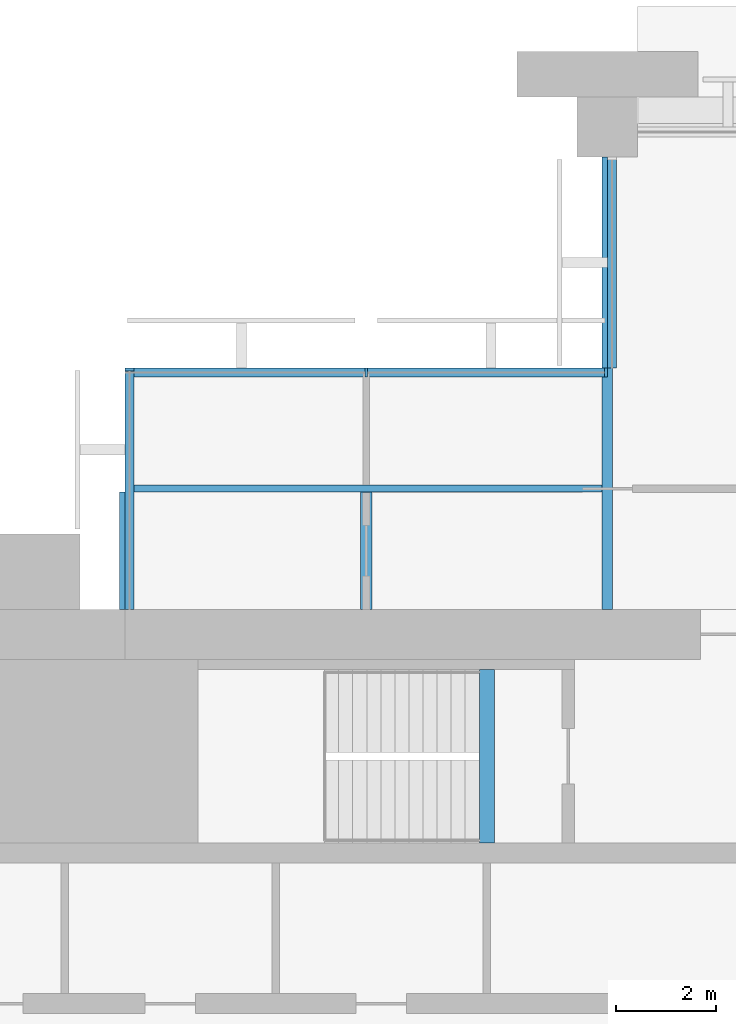
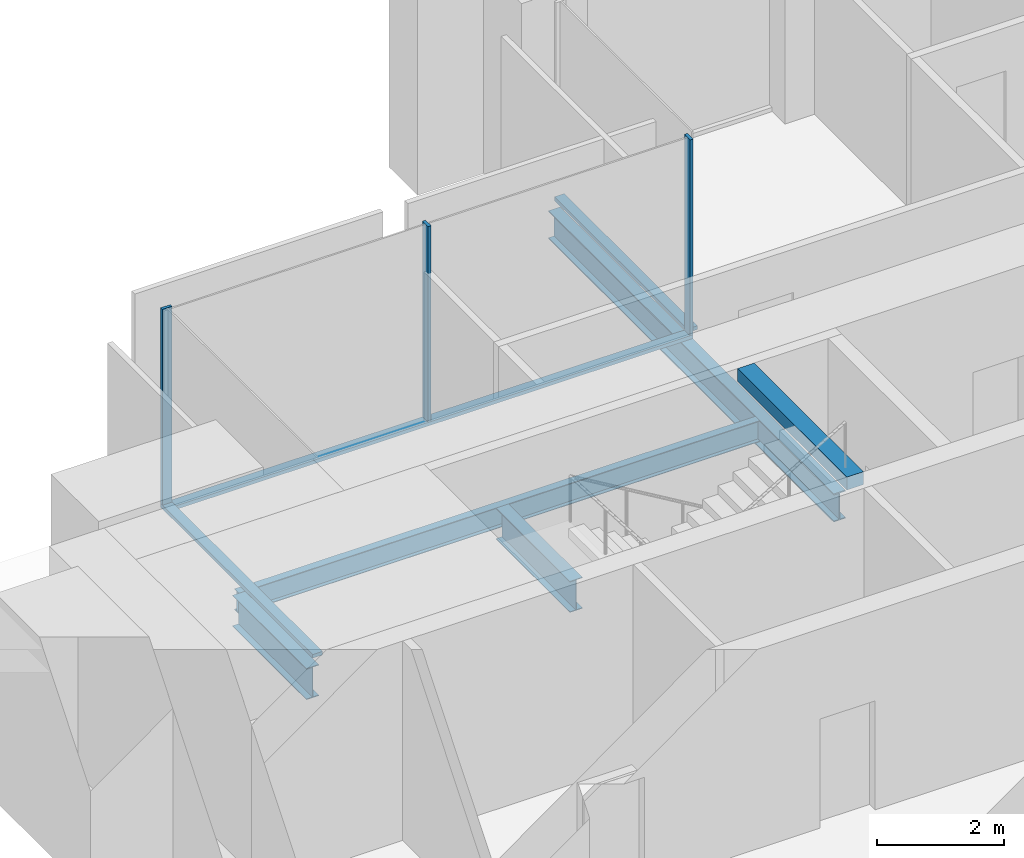
# One storey, part 5 of 15: 6 members, 5 beams, 3 elements without a shape of their own.
"""IFC4 building model written with IfcOpenShell, lengths in metres."""

import ifcopenshell
import ifcopenshell.guid

model = None  # the IFC model being written
_history = None  # IfcOwnerHistory: only IFC2X3 demands one
_inside = {}  # id of a spatial element -> (the spatial element, [elements in it])
_under = {}  # id of a project, library or spatial element -> (it, [spatial elements below it])
_declared = {}  # id of a project -> (the project, [libraries it declares])
_typed = {}  # id of a type object -> (the type object, [elements of that type])
_made_of = {}  # id of a material, layer set ... -> (it, [elements and type objects made of it])


def new_model(schema):
    """Start an empty IFC model of exactly this schema.

    Asked for "IFC4X3", IfcOpenShell would pick the latest addendum, in which some entities
    have other attributes; the version numbers below select the first issue.
    IFC2X3 requires an IfcOwnerHistory on every rooted entity: one is made here for all.
    """
    global model, _history
    if schema == "IFC4X3":
        model = ifcopenshell.file(schema_version=(4, 3, 0, 0))
    else:
        model = ifcopenshell.file(schema=schema)
    _inside.clear()
    _under.clear()
    _declared.clear()
    _typed.clear()
    _made_of.clear()
    _history = None
    if model.schema == "IFC2X3":
        org = make("IfcOrganization", Name="unknown")
        user = make(
            "IfcPersonAndOrganization",
            ThePerson=make("IfcPerson", FamilyName="unknown"),
            TheOrganization=org,
        )
        app = make(
            "IfcApplication",
            ApplicationDeveloper=org,
            Version="unknown",
            ApplicationFullName="unknown",
            ApplicationIdentifier="unknown",
        )
        _history = make(
            "IfcOwnerHistory",
            OwningUser=user,
            OwningApplication=app,
            ChangeAction="ADDED",
            CreationDate=0,
        )
    return model


def make(cls, **values):
    """One entity of the class cls with the attributes given. An attribute that is None is left unset."""
    return model.create_entity(
        cls, **{name: value for name, value in values.items() if value is not None}
    )


def rooted(cls, **values):
    """An entity with a GlobalId (a new one), such as an element, a storey or a relation."""
    return make(cls, GlobalId=ifcopenshell.guid.new(), OwnerHistory=_history, **values)


def si_unit(unit_type, name, prefix=None):
    """IfcSIUnit, for example si_unit("LENGTHUNIT", "METRE", prefix="MILLI")."""
    return make("IfcSIUnit", UnitType=unit_type, Prefix=prefix, Name=name)


def assignment(units):
    """IfcUnitAssignment: the units of a project."""
    return None if units is None else make("IfcUnitAssignment", Units=units)


def point(xyz):
    """IfcCartesianPoint."""
    return None if xyz is None else make("IfcCartesianPoint", Coordinates=xyz)


def direction(xyz):
    """IfcDirection."""
    return None if xyz is None else make("IfcDirection", DirectionRatios=xyz)


def frame(location, z_axis=None, x_axis=None):
    """IfcAxis2Placement3D, a coordinate frame: its origin and axes. An axis left out is left unset."""
    return make(
        "IfcAxis2Placement3D",
        Location=point(location),
        Axis=direction(z_axis),
        RefDirection=direction(x_axis),
    )


def frame_2d(location, x_axis=None):
    """IfcAxis2Placement2D, a coordinate frame in the plane: its origin and x axis."""
    return make(
        "IfcAxis2Placement2D", Location=point(location), RefDirection=direction(x_axis)
    )


def origin():
    """The frame at (0, 0, 0) with its axes left unset."""
    return frame((0.0, 0.0, 0.0))


def origin_2d():
    """The frame at (0, 0) in the plane with its x axis left unset."""
    return frame_2d((0.0, 0.0))


def place(relative_to, where):
    """IfcLocalPlacement: puts the frame where relative to a parent placement (None: the world)."""
    return make(
        "IfcLocalPlacement", PlacementRelTo=relative_to, RelativePlacement=where
    )


def context(
    kind, dimensions, precision=None, world=None, true_north=None, identifier=None
):
    """IfcGeometricRepresentationContext, for example the 3D "Model" context."""
    return make(
        "IfcGeometricRepresentationContext",
        ContextIdentifier=identifier,
        ContextType=kind,
        CoordinateSpaceDimension=dimensions,
        Precision=precision,
        WorldCoordinateSystem=world,
        TrueNorth=true_north,
    )


def subcontext(parent, identifier, kind, view, scale=None):
    """IfcGeometricRepresentationSubContext, for example "Body" below "Model"."""
    return make(
        "IfcGeometricRepresentationSubContext",
        ContextIdentifier=identifier,
        ContextType=kind,
        ParentContext=parent,
        TargetScale=scale,
        TargetView=view,
    )


def project(units=None, contexts=None):
    """IfcProject with its units and contexts."""
    return rooted(
        "IfcProject",
        Name="project",
        RepresentationContexts=contexts,
        UnitsInContext=assignment(units),
    )


def spatial(cls, under=None, at=None, **own):
    """A site, building, storey or space (cls), placed at a placement, below another one or the project."""
    s = rooted(cls, ObjectPlacement=at, **own)
    if under is not None:
        _under.setdefault(under.id(), (under, []))[1].append(s)
    return s


def profile(cls, at=None, kind="AREA", **sizes):
    """A parametric profile (cls). Its sizes go by their IFC names, for example OverallWidth=200.0."""
    return make(cls, ProfileType=kind, Position=at, **sizes)


def rectangle(**sizes):
    """IfcRectangleProfileDef."""
    return profile("IfcRectangleProfileDef", **sizes)


def i_section(**sizes):
    """IfcIShapeProfileDef."""
    return profile("IfcIShapeProfileDef", **sizes)


def extrude(swept, where, along, depth):
    """IfcExtrudedAreaSolid: the profile swept, set in the frame where, extruded along a direction by depth."""
    return make(
        "IfcExtrudedAreaSolid",
        SweptArea=swept,
        Position=where,
        ExtrudedDirection=direction(along),
        Depth=depth,
    )


def shape(context_of_items, identifier, shape_type, items):
    """IfcShapeRepresentation: the items that make up one representation, for example the "Body"."""
    return make(
        "IfcShapeRepresentation",
        ContextOfItems=context_of_items,
        RepresentationIdentifier=identifier,
        RepresentationType=shape_type,
        Items=items,
    )


def material(Name=None, Category=None):
    """IfcMaterial."""
    return make("IfcMaterial", Name=Name, Category=Category)


def material_profile(
    of_material, cross_section, Name=None, Category=None, Priority=None
):
    """IfcMaterialProfile: a cross section and its material."""
    return make(
        "IfcMaterialProfile",
        Name=Name,
        Material=of_material,
        Profile=cross_section,
        Priority=Priority,
        Category=Category,
    )


def profile_set(profiles, Name=None, composite=None):
    """IfcMaterialProfileSet."""
    return make(
        "IfcMaterialProfileSet",
        Name=Name,
        MaterialProfiles=profiles,
        CompositeProfile=composite,
    )


def made_of(thing, what):
    """Note that an element or type object is made of a material, layer set ...; save() writes the relation."""
    if what is not None:
        _made_of.setdefault(what.id(), (what, []))[1].append(thing)
    return thing


def type_object(cls, material=None, **own):
    """A type object (cls), such as IfcWallType, which elements share."""
    return made_of(rooted(cls, **own), material)


def element(
    cls,
    number,
    at=None,
    inside=None,
    cuts=None,
    type_object=None,
    material=None,
    context=None,
    identifier="Body",
    shape_type=None,
    held_by="IfcProductDefinitionShape",
    body=None,
    shapes=None,
    **own,
):
    """One element of the class cls, such as IfcWall. Its Tag is "e" and its number.

    at: its placement. inside: the storey or other place that contains it. cuts: it is an
    opening in that element (IfcRelVoidsElement). A single representation is given by context,
    identifier, shape_type and body (its items); several are given by shapes. held_by: the class
    of the entity that holds the representations. save() writes the other relations.
    """
    e = rooted(cls, Tag="e%d" % number, ObjectPlacement=at, **own)
    if body is not None:
        shapes = [shape(context, identifier, shape_type, body)]
    if shapes is not None:
        e.Representation = make(held_by, Representations=shapes)
    if inside is not None:
        _inside.setdefault(inside.id(), (inside, []))[1].append(e)
    if cuts is not None:
        rooted(
            "IfcRelVoidsElement", RelatingBuildingElement=cuts, RelatedOpeningElement=e
        )
    if type_object is not None:
        _typed.setdefault(type_object.id(), (type_object, []))[1].append(e)
    return made_of(e, material)


def aggregate(whole, parts):
    """IfcRelAggregates: a whole, such as a stair, and the parts it consists of."""
    return rooted("IfcRelAggregates", RelatingObject=whole, RelatedObjects=parts)


def save(model, path):
    """Write the relations noted so far, then the file.

    IfcRelAggregates (storeys below a building ...), IfcRelContainedInSpatialStructure (elements
    in a storey), IfcRelDefinesByType, IfcRelAssociatesMaterial and IfcRelDeclares: one each for
    every whole, place, type object, material and project.
    """
    for whole, parts in _under.values():
        aggregate(whole, parts)
    for where, things in _inside.values():
        rooted(
            "IfcRelContainedInSpatialStructure",
            RelatedElements=things,
            RelatingStructure=where,
        )
    for kind, things in _typed.values():
        rooted("IfcRelDefinesByType", RelatedObjects=things, RelatingType=kind)
    for what, things in _made_of.values():
        rooted("IfcRelAssociatesMaterial", RelatedObjects=things, RelatingMaterial=what)
    for by, libraries in _declared.values():
        rooted("IfcRelDeclares", RelatingContext=by, RelatedDefinitions=libraries)
    model.write(path)


model = new_model("IFC4")

# Units and contexts
model_context = context("Model", 3, precision=1e-05, world=origin(), true_north=direction((0.0, 1.0)))
body_context = subcontext(model_context, "Body", "Model", "MODEL_VIEW")
ifc_project = project(units=[si_unit("LENGTHUNIT", "METRE"), si_unit("AREAUNIT", "SQUARE_METRE"), si_unit("VOLUMEUNIT", "CUBIC_METRE"), si_unit("PLANEANGLEUNIT", "RADIAN"), si_unit("MASSUNIT", "GRAM", prefix="KILO")], contexts=[model_context])

# Site, building, storey
site_placement = place(None, origin())
site = spatial("IfcSite", under=ifc_project, at=site_placement, CompositionType="ELEMENT")
building_placement = place(site_placement, origin())
building = spatial("IfcBuilding", under=site, at=building_placement, Name="Baori Bourse Tower", CompositionType="ELEMENT")
storey_placement = place(building_placement, frame((0.0, 0.0, 164.10009765625)))
storey = spatial("IfcBuildingStorey", under=building, at=storey_placement, Name="L36", CompositionType="ELEMENT", Elevation=164.10009765625)

# Curtain wall, members
ifc_material_1 = material(Name="Pale anodised aluminium", Category="aluminium")
curtain_wall_type = type_object("IfcCurtainWallType", Name="CW2 Curtain wall", PredefinedType="NOTDEFINED", material=ifc_material_1)
curtain_wall_1_placement = place(storey_placement, origin())
curtain_wall_1 = element("IfcCurtainWall", 1, at=curtain_wall_1_placement, inside=storey, type_object=curtain_wall_type, Name="Curtain wall CW2 L36 8", PredefinedType="NOTDEFINED")
ifc_material_2 = material(Name="Pale anodised aluminium", Category="aluminium")
ifc_material_profile_1 = material_profile(ifc_material_2, rectangle(XDim=0.179931640625, YDim=0.054931640625, at=origin_2d()), Name="Mullion 55x180")
ifc_profile_set_1 = profile_set([ifc_material_profile_1], Name="Pale anodised aluminium")
member_type_1 = type_object("IfcMemberType", Name="CW2 Curtain wall mullion", PredefinedType="MULLION", material=ifc_profile_set_1)
member_1_placement = place(storey_placement, frame((14.37255859375, 43.110107421875, 0.06982421875), z_axis=(0.0, 0.0, 1.0), x_axis=(0.0, -1.0, 0.0)))
member_1 = element("IfcMember", 2, at=member_1_placement, type_object=member_type_1, Name="Curtain wall CW2 mullion", PredefinedType="MULLION", context=body_context, shape_type="SweptSolid", body=[
    extrude(rectangle(XDim=0.179931640625, YDim=0.054931640625, at=origin_2d()), origin(), (0.0, 0.0, 1.0), 3.77001953125),
])
member_2_placement = place(storey_placement, frame((9.60009765625, 43.110107421875, 0.06982421875), z_axis=(0.0, 0.0, 1.0), x_axis=(0.0, -1.0, 0.0)))
member_2 = element("IfcMember", 3, at=member_2_placement, type_object=member_type_1, Name="Curtain wall CW2 mullion", PredefinedType="MULLION", context=body_context, shape_type="SweptSolid", body=[
    extrude(rectangle(XDim=0.179931640625, YDim=0.054931640625, at=origin_2d()), origin(), (0.0, 0.0, 1.0), 3.77001953125),
])

# Curtain wall, member
curtain_wall_2_placement = place(storey_placement, origin())
curtain_wall_2 = element("IfcCurtainWall", 4, at=curtain_wall_2_placement, inside=storey, type_object=curtain_wall_type, Name="Curtain wall CW2 L36 9", PredefinedType="NOTDEFINED")
member_3_placement = place(storey_placement, frame((4.889892578125, 43.172607421875, 0.06982421875), z_axis=(0.0, 0.0, 1.0), x_axis=(1.0, 0.0, 0.0)))
member_3 = element("IfcMember", 5, at=member_3_placement, type_object=member_type_1, Name="Curtain wall CW2 mullion", PredefinedType="MULLION", context=body_context, shape_type="SweptSolid", body=[
    extrude(rectangle(XDim=0.179931640625, YDim=0.054931640625, at=origin_2d()), origin(), (0.0, 0.0, 1.0), 3.77001953125),
])

curtain_wall_3_placement = place(storey_placement, origin())
curtain_wall_3 = element("IfcCurtainWall", 6, at=curtain_wall_3_placement, inside=storey, type_object=curtain_wall_type, Name="Curtain wall CW2 L36 7", PredefinedType="NOTDEFINED")
ifc_material_3 = material(Name="Pale anodised aluminium", Category="aluminium")
ifc_material_profile_2 = material_profile(ifc_material_3, rectangle(XDim=0.179931640625, YDim=0.070068359375, at=origin_2d()), Name="Transom 70x180")
ifc_profile_set_2 = profile_set([ifc_material_profile_2], Name="Pale anodised aluminium")
member_type_2 = type_object("IfcMemberType", Name="CW2 Curtain wall transom", PredefinedType="USERDEFINED", material=ifc_profile_set_2)
member_4_placement = place(storey_placement, frame((14.489990234375, 47.39990234375, 0.034912109375), z_axis=(0.0, -1.0, 0.0), x_axis=(1.0, 0.0, 0.0)))
member_4 = element("IfcMember", 7, at=member_4_placement, type_object=member_type_2, Name="Curtain wall CW2 sill rail", ObjectType="TRANSOM", PredefinedType="USERDEFINED", context=body_context, shape_type="SweptSolid", body=[
    extrude(rectangle(XDim=0.179931640625, YDim=0.070068359375, at=origin_2d()), origin(), (0.0, 0.0, 1.0), 4.199951171875),
])
aggregate(curtain_wall_3, [member_4])

# Member
member_5_placement = place(storey_placement, frame((14.39990234375, 43.110107421875, 0.034912109375), z_axis=(-1.0, 0.0, 0.0), x_axis=(0.0, -1.0, 0.0)))
member_5 = element("IfcMember", 8, at=member_5_placement, type_object=member_type_2, Name="Curtain wall CW2 sill rail", ObjectType="TRANSOM", PredefinedType="USERDEFINED", context=body_context, shape_type="SweptSolid", body=[
    extrude(rectangle(XDim=0.179931640625, YDim=0.070068359375, at=origin_2d()), origin(), (0.0, 0.0, 1.0), 9.599853515625),
])

aggregate(curtain_wall_1, [member_5, member_1, member_2])

member_6_placement = place(storey_placement, frame((4.889892578125, 43.199951171875, 0.034912109375), z_axis=(0.0, -1.0, 0.0), x_axis=(1.0, 0.0, 0.0)))
member_6 = element("IfcMember", 9, at=member_6_placement, type_object=member_type_2, Name="Curtain wall CW2 sill rail", ObjectType="TRANSOM", PredefinedType="USERDEFINED", context=body_context, shape_type="SweptSolid", body=[
    extrude(rectangle(XDim=0.179931640625, YDim=0.070068359375, at=origin_2d()), origin(), (0.0, 0.0, 1.0), 4.800048828125),
])

aggregate(curtain_wall_2, [member_6, member_3])

# Beams
ifc_material_4 = material(Name="Steel A992 Gr 50", Category="steel")
ifc_material_profile_3 = material_profile(ifc_material_4, i_section(OverallWidth=0.227783203125, OverallDepth=0.60205078125, WebThickness=0.010498046875, FlangeThickness=0.014892578125, at=origin_2d()), Name="W24x68")
ifc_profile_set_3 = profile_set([ifc_material_profile_3], Name="Steel A992 Gr 50")
beam_type_1 = type_object("IfcBeamType", Name="Core bracket W24x68", PredefinedType="BEAM", material=ifc_profile_set_3)
for number, where, z_axis, x_axis, name in (
    (10, (4.800048828125, 38.39990234375, -0.461181640625), (0.0, 1.0, 0.0), (-1.0, 0.0, 0.0), "Core bracket L36"),
    (11, (9.60009765625, 38.39990234375, -0.461181640625), (0.0, 1.0, 0.0), (-1.0, 0.0, 0.0), "Core bracket L36"),
):
    element("IfcBeam", number, at=place(storey_placement, frame(where, z_axis=z_axis, x_axis=x_axis)), inside=storey, type_object=beam_type_1, Name=name, PredefinedType="BEAM", context=body_context, shape_type="SweptSolid", body=[
        extrude(i_section(OverallWidth=0.227783203125, OverallDepth=0.60205078125, WebThickness=0.010498046875, FlangeThickness=0.014892578125, at=origin_2d()), origin(), (0.0, 0.0, 1.0), 2.329833984375),
    ])
ifc_material_5 = material(Name="Steel A992 Gr 50", Category="steel")
ifc_material_profile_4 = material_profile(ifc_material_5, i_section(OverallWidth=0.21240234375, OverallDepth=0.54345703125, WebThickness=0.01318359375, FlangeThickness=0.021240234375, at=origin_2d()), Name="W21x83")
ifc_profile_set_4 = profile_set([ifc_material_profile_4], Name="Steel A992 Gr 50")
beam_type_2 = type_object("IfcBeamType", Name="Floor beam W21x83", PredefinedType="BEAM", material=ifc_profile_set_4)
beam_1_placement = place(storey_placement, frame((14.39990234375, 38.39990234375, -0.431884765625), z_axis=(0.0, 1.0, 0.0), x_axis=(-1.0, 0.0, 0.0)))
element("IfcBeam", 12, at=beam_1_placement, inside=storey, type_object=beam_type_2, Name="Floor beam L36", PredefinedType="BEAM", context=body_context, shape_type="SweptSolid", body=[
    extrude(i_section(OverallWidth=0.21240234375, OverallDepth=0.54345703125, WebThickness=0.01318359375, FlangeThickness=0.021240234375, at=origin_2d()), origin(), (0.0, 0.0, 1.0), 9.0),
])
ifc_material_6 = material(Name="Concrete f'c 50 MPa", Category="concrete")
ifc_material_profile_5 = material_profile(ifc_material_6, rectangle(XDim=0.300048828125, YDim=0.25, at=origin_2d()), Name="RC 300x250")
ifc_profile_set_5 = profile_set([ifc_material_profile_5], Name="Concrete f'c 50 MPa")
beam_type_3 = type_object("IfcBeamType", Name="Stair nib beam RC 300x250", PredefinedType="BEAM", material=ifc_profile_set_5)
beam_2_placement = place(storey_placement, frame((12.0, 33.75, 3.71484375), z_axis=(0.0, 1.0, 0.0), x_axis=(-1.0, 0.0, 0.0)))
element("IfcBeam", 13, at=beam_2_placement, inside=storey, type_object=beam_type_3, Name="Stair WB nib beam L37", PredefinedType="BEAM", context=body_context, shape_type="SweptSolid", body=[
    extrude(rectangle(XDim=0.300048828125, YDim=0.25, at=origin_2d()), origin(), (0.0, 0.0, 1.0), 3.449951171875),
])
ifc_material_7 = material(Name="Steel A992 Gr 50", Category="steel")
ifc_material_profile_6 = material_profile(ifc_material_7, i_section(OverallWidth=0.140380859375, OverallDepth=0.40380859375, WebThickness=0.007080078125, FlangeThickness=0.01123046875, at=origin_2d()), Name="W16x31")
ifc_profile_set_6 = profile_set([ifc_material_profile_6], Name="Steel A992 Gr 50")
beam_type_4 = type_object("IfcBeamType", Name="Trimmer beam W16x31", PredefinedType="BEAM", material=ifc_profile_set_6)
beam_3_placement = place(storey_placement, frame((4.800048828125, 40.800048828125, -0.362060546875), z_axis=(1.0, 0.0, 0.0), x_axis=(0.0, 1.0, 0.0)))
element("IfcBeam", 14, at=beam_3_placement, inside=storey, type_object=beam_type_4, Name="Trimmer beam L36", PredefinedType="BEAM", context=body_context, shape_type="SweptSolid", body=[
    extrude(i_section(OverallWidth=0.140380859375, OverallDepth=0.40380859375, WebThickness=0.007080078125, FlangeThickness=0.01123046875, at=origin_2d()), origin(), (0.0, 0.0, 1.0), 9.493896484375),
])

save(model, "model.ifc")
